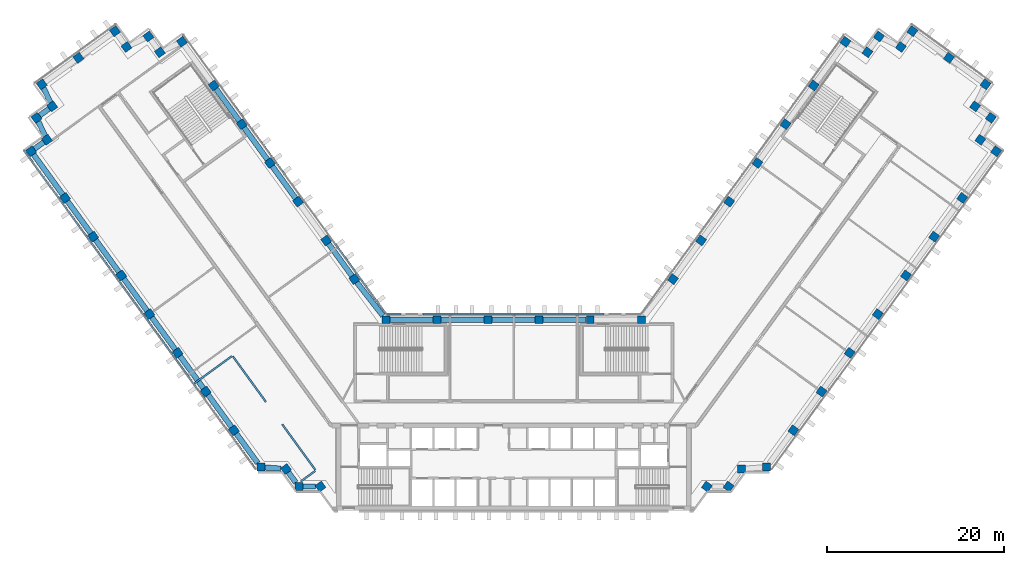
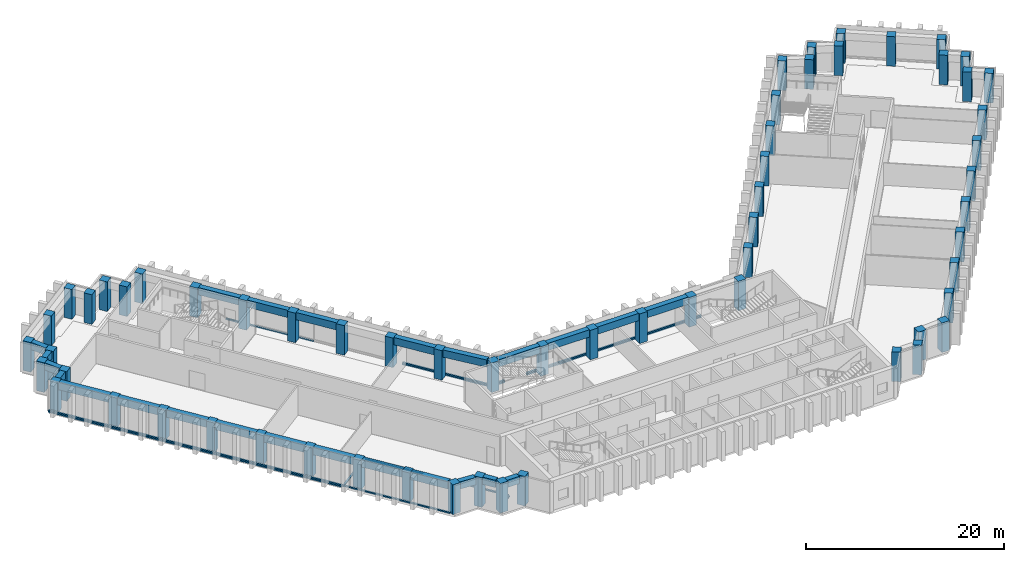
"""IFC4 building model written with IfcOpenShell, lengths in metres."""

from ifc_helpers import new_model, si_unit, direction, frame, origin, origin_2d, place, context, subcontext, project, spatial, rectangle, extrude, material, material_profile, profile_set, type_object, element, aggregate, save


model = new_model("IFC4")

# Units and contexts
model_context = context("Model", 3, precision=1e-05, world=origin(), true_north=direction((0.0, 1.0)))
body_context = subcontext(model_context, "Body", "Model", "MODEL_VIEW")
ifc_project = project(units=[si_unit("LENGTHUNIT", "METRE"), si_unit("AREAUNIT", "SQUARE_METRE"), si_unit("VOLUMEUNIT", "CUBIC_METRE"), si_unit("PLANEANGLEUNIT", "RADIAN"), si_unit("MASSUNIT", "GRAM", prefix="KILO")], contexts=[model_context])

# Site, building, storey
site_placement = place(None, origin())
site = spatial("IfcSite", under=ifc_project, at=site_placement, CompositionType="ELEMENT")
building_placement = place(site_placement, origin())
building = spatial("IfcBuilding", under=site, at=building_placement, Name="Quipu Civic Tower", CompositionType="ELEMENT")
storey_1_placement = place(building_placement, frame((0.0, 0.0, 67.0)))
storey_1 = spatial("IfcBuildingStorey", under=building, at=storey_1_placement, Name="L15", CompositionType="ELEMENT", Elevation=67.0)

# Columns
ifc_material_1 = material(Name="Concrete C70/85", Category="concrete")
ifc_material_profile_1 = material_profile(ifc_material_1, rectangle(XDim=0.89990234375, YDim=0.89990234375, at=origin_2d()), Name="RC900x900")
ifc_profile_set_1 = profile_set([ifc_material_profile_1], Name="Concrete C70/85")
column_type = type_object("IfcColumnType", Name="Perimeter column RC 900x900 C70/85", PredefinedType="COLUMN", material=ifc_profile_set_1)
for number, where, z_axis, x_axis, name in (
    (1, (-17.9736328125, 15.074951171875, 0.0), (0.0, 0.0, 1.0), (-0.587785252292, 0.809016994375, 0.0), "Column L15 W-IN-01"),
    (2, (-21.1474609375, 19.44384765625, 0.0), (0.0, 0.0, 1.0), (-0.587785252292, 0.809016994375, 0.0), "Column L15 W-IN-02"),
    (3, (-24.3212890625, 23.8125, 0.0), (0.0, 0.0, 1.0), (-0.587785252292, 0.809016994375, 0.0), "Column L15 W-IN-03"),
    (4, (-27.4951171875, 28.181396484375, 0.0), (0.0, 0.0, 1.0), (-0.587785252292, 0.809016994375, 0.0), "Column L15 W-IN-04"),
    (5, (-30.6689453125, 32.55029296875, 0.0), (0.0, 0.0, 1.0), (-0.587785252292, 0.809016994375, 0.0), "Column L15 W-IN-05"),
    (6, (-33.843017578125, 36.919189453125, 0.0), (0.0, 0.0, 1.0), (-0.587785252292, 0.809016994375, 0.0), "Column L15 W-IN-06"),
    (7, (-37.425048828125, 41.85009765625, 0.0), (0.0, 0.0, 1.0), (-0.587785252292, 0.809016994375, 0.0), "Column L15 T-Wi.0-W50"),
    (8, (-39.905517578125, 40.666015625, 0.0), (0.0, 0.0, 1.0), (-0.587785252292, 0.809016994375, 0.0), "Column L15 T-Wi.1-W50"),
    (9, (-41.199951171875, 42.445068359375, 0.0), (0.0, 0.0, 1.0), (-0.587785252292, 0.809016994375, 0.0), "Column L15 T-Wi.2-W50"),
    (10, (-43.674560546875, 41.264892578125, 0.0), (0.0, 0.0, 1.0), (-0.809016994375, -0.587785252292, 0.0), "Column L15 T-Wi.3-W50"),
    (11, (-44.969970703125, 43.044921875, 0.0), (0.0, 0.0, 1.0), (-0.809016994375, -0.587785252292, 0.0), "Column L15 T-Wi.4-W50"),
    (12, (-49.095703125, 40.046875, 0.0), (0.0, 0.0, 1.0), (-0.809016994375, -0.587785252292, 0.0), "Column L15 TIP-W-01-W50"),
    (13, (-53.219970703125, 37.050048828125, 0.0), (0.0, 0.0, 1.0), (0.587785252292, -0.809016994375, 0.0), "Column L15 T-Wo.0-W50"),
    (14, (-52.038818359375, 34.571044921875, 0.0), (0.0, 0.0, 1.0), (-0.809016994375, -0.587785252292, 0.0), "Column L15 T-Wo.1-W50"),
    (15, (-53.820068359375, 33.27490234375, 0.0), (0.0, 0.0, 1.0), (0.587785252292, -0.809016994375, 0.0), "Column L15 T-Wo.2-W50"),
    (16, (-52.635986328125, 30.799560546875, 0.0), (0.0, 0.0, 1.0), (-0.809016994375, -0.587785252292, 0.0), "Column L15 T-Wo.3-W50"),
    (17, (-54.4150390625, 29.5048828125, 0.0), (0.0, 0.0, 1.0), (0.587785252292, -0.809016994375, 0.0), "Column L15 T-Wo.4-W50"),
    (18, (-50.59228515625, 24.243408203125, 0.0), (0.0, 0.0, 1.0), (0.587785252292, -0.809016994375, 0.0), "Column L15 W-OUT-07"),
    (19, (-47.41845703125, 19.874755859375, 0.0), (0.0, 0.0, 1.0), (0.587785252292, -0.809016994375, 0.0), "Column L15 W-OUT-06"),
    (20, (-44.244384765625, 15.506103515625, 0.0), (0.0, 0.0, 1.0), (0.587785252292, -0.809016994375, 0.0), "Column L15 W-OUT-05"),
    (21, (-41.0703125, 11.137451171875, 0.0), (0.0, 0.0, 1.0), (0.587785252292, -0.809016994375, 0.0), "Column L15 W-OUT-04"),
    (22, (-37.896240234375, 6.768798828125, 0.0), (0.0, 0.0, 1.0), (0.587785252292, -0.809016994375, 0.0), "Column L15 W-OUT-03"),
    (23, (-34.722412109375, 2.39990234375, 0.0), (0.0, 0.0, 1.0), (0.587785252292, -0.809016994375, 0.0), "Column L15 W-OUT-02"),
    (24, (-31.54833984375, -1.96875, 0.0), (0.0, 0.0, 1.0), (0.587785252292, -0.809016994375, 0.0), "Column L15 W-OUT-01"),
    (25, (-28.52490234375, -6.1298828125, 0.0), (0.0, 0.0, 1.0), (1.0, 0.0, 0.0), "Column L15 J-Wo.0"),
    (26, (-25.67431640625, -6.3369140625, 0.0), (0.0, 0.0, 1.0), (0.587785252292, -0.809016994375, 0.0), "Column L15 J-Wo.1"),
    (27, (-24.235107421875, -8.31494140625, 0.0), (0.0, 0.0, 1.0), (1.0, 0.0, 0.0), "Column L15 J-Wo.2"),
    (28, (-21.791748046875, -8.31494140625, 0.0), (0.0, 0.0, 1.0), (0.587785252292, -0.809016994375, 0.0), "Column L15 J-Wo.3"),
    (29, (21.791748046875, -8.31494140625, 0.0), (0.0, 0.0, 1.0), (0.587785252292, 0.809016994375, 0.0), "Column L15 J-Eo.1"),
    (30, (24.235107421875, -8.31494140625, 0.0), (0.0, 0.0, 1.0), (0.587785252292, 0.809016994375, 0.0), "Column L15 J-Eo.2"),
    (31, (25.67431640625, -6.3369140625, 0.0), (0.0, 0.0, 1.0), (1.0, 0.0, 0.0), "Column L15 J-Eo.3"),
    (32, (28.52490234375, -6.1298828125, 0.0), (0.0, 0.0, 1.0), (1.0, 0.0, 0.0), "Column L15 J-Eo.4"),
    (33, (31.54833984375, -1.96875, 0.0), (0.0, 0.0, 1.0), (0.587785252292, 0.809016994375, 0.0), "Column L15 E-OUT-01"),
    (34, (34.722412109375, 2.39990234375, 0.0), (0.0, 0.0, 1.0), (0.587785252292, 0.809016994375, 0.0), "Column L15 E-OUT-02"),
    (35, (37.896240234375, 6.768798828125, 0.0), (0.0, 0.0, 1.0), (0.587785252292, 0.809016994375, 0.0), "Column L15 E-OUT-03"),
    (36, (41.0703125, 11.137451171875, 0.0), (0.0, 0.0, 1.0), (0.587785252292, 0.809016994375, 0.0), "Column L15 E-OUT-04"),
    (37, (44.244384765625, 15.506103515625, 0.0), (0.0, 0.0, 1.0), (0.587785252292, 0.809016994375, 0.0), "Column L15 E-OUT-05"),
    (38, (47.41845703125, 19.874755859375, 0.0), (0.0, 0.0, 1.0), (0.587785252292, 0.809016994375, 0.0), "Column L15 E-OUT-06"),
    (39, (50.59228515625, 24.243408203125, 0.0), (0.0, 0.0, 1.0), (0.587785252292, 0.809016994375, 0.0), "Column L15 E-OUT-07"),
    (40, (54.4150390625, 29.5048828125, 0.0), (0.0, 0.0, 1.0), (0.587785252292, 0.809016994375, 0.0), "Column L15 T-Eo.0-E50"),
    (41, (52.635986328125, 30.799560546875, 0.0), (0.0, 0.0, 1.0), (-0.809016994375, 0.587785252292, 0.0), "Column L15 T-Eo.1-E50"),
    (42, (53.820068359375, 33.27490234375, 0.0), (0.0, 0.0, 1.0), (-0.809016994375, 0.587785252292, 0.0), "Column L15 T-Eo.2-E50"),
    (43, (52.038818359375, 34.571044921875, 0.0), (0.0, 0.0, 1.0), (0.587785252292, 0.809016994375, 0.0), "Column L15 T-Eo.3-E50"),
    (44, (53.219970703125, 37.050048828125, 0.0), (0.0, 0.0, 1.0), (-0.809016994375, 0.587785252292, 0.0), "Column L15 T-Eo.4-E50"),
    (45, (49.095703125, 40.046875, 0.0), (0.0, 0.0, 1.0), (-0.809016994375, 0.587785252292, 0.0), "Column L15 TIP-E-01-E50"),
    (46, (44.969970703125, 43.044921875, 0.0), (0.0, 0.0, 1.0), (-0.809016994375, 0.587785252292, 0.0), "Column L15 T-Ei.0-E50"),
    (47, (43.674560546875, 41.264892578125, 0.0), (0.0, 0.0, 1.0), (-0.809016994375, 0.587785252292, 0.0), "Column L15 T-Ei.1-E50"),
    (48, (41.199951171875, 42.445068359375, 0.0), (0.0, 0.0, 1.0), (-0.587785252292, -0.809016994375, 0.0), "Column L15 T-Ei.2-E50"),
    (49, (39.905517578125, 40.666015625, 0.0), (0.0, 0.0, 1.0), (-0.587785252292, -0.809016994375, 0.0), "Column L15 T-Ei.3-E50"),
    (50, (37.425048828125, 41.85009765625, 0.0), (0.0, 0.0, 1.0), (-0.587785252292, -0.809016994375, 0.0), "Column L15 T-Ei.4-E50"),
    (51, (33.843017578125, 36.919189453125, 0.0), (0.0, 0.0, 1.0), (-0.587785252292, -0.809016994375, 0.0), "Column L15 E-IN-06"),
    (52, (30.6689453125, 32.55029296875, 0.0), (0.0, 0.0, 1.0), (-0.587785252292, -0.809016994375, 0.0), "Column L15 E-IN-05"),
    (53, (27.4951171875, 28.181396484375, 0.0), (0.0, 0.0, 1.0), (-0.587785252292, -0.809016994375, 0.0), "Column L15 E-IN-04"),
    (54, (24.3212890625, 23.8125, 0.0), (0.0, 0.0, 1.0), (-0.587785252292, -0.809016994375, 0.0), "Column L15 E-IN-03"),
    (55, (21.1474609375, 19.44384765625, 0.0), (0.0, 0.0, 1.0), (-0.587785252292, -0.809016994375, 0.0), "Column L15 E-IN-02"),
    (56, (17.9736328125, 15.074951171875, 0.0), (0.0, 0.0, 1.0), (-0.587785252292, -0.809016994375, 0.0), "Column L15 E-IN-01"),
    (57, (14.395263671875, 10.5, 0.0), (0.0, 0.0, 1.0), (-1.0, 0.0, 0.0), "Column L15 J-Ei.0"),
    (58, (8.63720703125, 10.5, 0.0), (0.0, 0.0, 1.0), (-1.0, 0.0, 0.0), "Column L15 FRONT-01"),
    (59, (2.87890625, 10.5, 0.0), (0.0, 0.0, 1.0), (-1.0, 0.0, 0.0), "Column L15 FRONT-02"),
    (60, (-2.87890625, 10.5, 0.0), (0.0, 0.0, 1.0), (-1.0, 0.0, 0.0), "Column L15 FRONT-03"),
    (61, (-8.63720703125, 10.5, 0.0), (0.0, 0.0, 1.0), (-1.0, 0.0, 0.0), "Column L15 FRONT-04"),
    (62, (-14.395263671875, 10.5, 0.0), (0.0, 0.0, 1.0), (-1.0, 0.0, 0.0), "Column L15 J-Wi.0"),
):
    element("IfcColumn", number, at=place(storey_1_placement, frame(where, z_axis=z_axis, x_axis=x_axis)), inside=storey_1, type_object=column_type, Name=name, PredefinedType="COLUMN", context=body_context, shape_type="SweptSolid", body=[
        extrude(rectangle(XDim=0.89990234375, YDim=0.89990234375, at=origin_2d()), origin(), (0.0, 0.0, 1.0), 3.64990234375),
    ])

# Beams
ifc_material_2 = material(Name="Concrete C50/60", Category="concrete")
ifc_material_profile_2 = material_profile(ifc_material_2, rectangle(XDim=0.60009765625, YDim=0.89990234375, at=origin_2d()), Name="RC600x900")
ifc_profile_set_2 = profile_set([ifc_material_profile_2], Name="Concrete C50/60")
beam_type = type_object("IfcBeamType", Name="Spandrel beam RC 600x900 C50/60", PredefinedType="SPANDREL", material=ifc_profile_set_2)
for number, where, z_axis, x_axis, name in (
    (63, (-18.238037109375, 15.43896484375, 3.199951171875), (-0.587716763865, 0.809066749701, 0.0), (-0.809066749701, -0.587716763865, 0.0), "Spandrel beam L15 W-IN-01 to W-IN-02"),
    (64, (-24.585693359375, 24.1767578125, 3.199951171875), (-0.587778073121, 0.809022210299, 0.0), (-0.809022210299, -0.587778073121, 0.0), "Spandrel beam L15 W-IN-03 to W-IN-04"),
    (65, (-27.759765625, 28.545654296875, 3.199951171875), (-0.587742561851, 0.809048009076, 0.0), (-0.809048009076, -0.587742561851, 0.0), "Spandrel beam L15 W-IN-04 to W-IN-05"),
    (66, (-30.93359375, 32.914306640625, 3.199951171875), (-0.587716763865, 0.809066749701, 0.0), (-0.809066749701, -0.587716763865, 0.0), "Spandrel beam L15 W-IN-05 to W-IN-06"),
):
    element("IfcBeam", number, at=place(storey_1_placement, frame(where, z_axis=z_axis, x_axis=x_axis)), inside=storey_1, type_object=beam_type, Name=name, PredefinedType="SPANDREL", context=body_context, shape_type="SweptSolid", body=[
        extrude(rectangle(XDim=0.60009765625, YDim=0.89990234375, at=origin_2d()), origin(), (0.0, 0.0, 1.0), 4.5),
    ])
beam_1_placement = place(storey_1_placement, frame((-53.023193359375, 36.63671875, 3.199951171875), z_axis=(0.430166558323, -0.902749540072, 0.0), x_axis=(0.902749540072, 0.430166558323, 0.0)))
element("IfcBeam", 67, at=beam_1_placement, inside=storey_1, type_object=beam_type, Name="Spandrel beam L15 T-Wo.0-W50 to T-Wo.1-W50", PredefinedType="SPANDREL", context=body_context, shape_type="SweptSolid", body=[
    extrude(rectangle(XDim=0.60009765625, YDim=0.89990234375, at=origin_2d()), origin(), (0.0, 0.0, 1.0), 1.830322265625),
])
beam_2_placement = place(storey_1_placement, frame((-52.40283203125, 34.306396484375, 3.199951171875), z_axis=(-0.808509099783, -0.588483674853, 0.0), x_axis=(0.588483674853, -0.808509099783, 0.0)))
element("IfcBeam", 68, at=beam_2_placement, inside=storey_1, type_object=beam_type, Name="Spandrel beam L15 T-Wo.1-W50 to T-Wo.2-W50", PredefinedType="SPANDREL", context=body_context, shape_type="SweptSolid", body=[
    extrude(rectangle(XDim=0.60009765625, YDim=0.89990234375, at=origin_2d()), origin(), (0.0, 0.0, 1.0), 1.302734375),
])
beam_3_placement = place(storey_1_placement, frame((-53.62255859375, 32.8623046875, 3.199951171875), z_axis=(0.431446050156, -0.902138739776, 0.0), x_axis=(0.902138739776, 0.431446050156, 0.0)))
element("IfcBeam", 69, at=beam_3_placement, inside=storey_1, type_object=beam_type, Name="Spandrel beam L15 T-Wo.2-W50 to T-Wo.3-W50", PredefinedType="SPANDREL", context=body_context, shape_type="SweptSolid", body=[
    extrude(rectangle(XDim=0.60009765625, YDim=0.89990234375, at=origin_2d()), origin(), (0.0, 0.0, 1.0), 1.828857421875),
])
beam_4_placement = place(storey_1_placement, frame((-53.0, 30.53466796875, 3.199951171875), z_axis=(-0.808549242423, -0.588428519514, 0.0), x_axis=(0.588428519514, -0.808549242423, 0.0)))
element("IfcBeam", 70, at=beam_4_placement, inside=storey_1, type_object=beam_type, Name="Spandrel beam L15 T-Wo.3-W50 to T-Wo.4-W50", PredefinedType="SPANDREL", context=body_context, shape_type="SweptSolid", body=[
    extrude(rectangle(XDim=0.60009765625, YDim=0.89990234375, at=origin_2d()), origin(), (0.0, 0.0, 1.0), 1.2998046875),
])
beam_5_placement = place(storey_1_placement, frame((-54.150390625, 29.140869140625, 3.199951171875), z_axis=(0.587772657145, -0.809026145135, 0.0), x_axis=(0.809026145135, 0.587772657145, 0.0)))
element("IfcBeam", 71, at=beam_5_placement, inside=storey_1, type_object=beam_type, Name="Spandrel beam L15 T-Wo.4-W50 to W-OUT-07", PredefinedType="SPANDREL", context=body_context, shape_type="SweptSolid", body=[
    extrude(rectangle(XDim=0.60009765625, YDim=0.89990234375, at=origin_2d()), origin(), (0.0, 0.0, 1.0), 5.603271484375),
])
beam_6_placement = place(storey_1_placement, frame((-50.327880859375, 23.87939453125, 3.199951171875), z_axis=(0.587778073121, -0.809022210299, 0.0), x_axis=(0.809022210299, 0.587778073121, 0.0)))
element("IfcBeam", 72, at=beam_6_placement, inside=storey_1, type_object=beam_type, Name="Spandrel beam L15 W-OUT-07 to W-OUT-06", PredefinedType="SPANDREL", context=body_context, shape_type="SweptSolid", body=[
    extrude(rectangle(XDim=0.60009765625, YDim=0.89990234375, at=origin_2d()), origin(), (0.0, 0.0, 1.0), 4.5),
])
beam_7_placement = place(storey_1_placement, frame((-47.15380859375, 19.5107421875, 3.199951171875), z_axis=(0.587803872688, -0.809003465539, 0.0), x_axis=(0.809003465539, 0.587803872688, 0.0)))
element("IfcBeam", 73, at=beam_7_placement, inside=storey_1, type_object=beam_type, Name="Spandrel beam L15 W-OUT-06 to W-OUT-05", PredefinedType="SPANDREL", context=body_context, shape_type="SweptSolid", body=[
    extrude(rectangle(XDim=0.60009765625, YDim=0.89990234375, at=origin_2d()), origin(), (0.0, 0.0, 1.0), 4.499755859375),
])
for number, where, z_axis, x_axis, name in (
    (74, (-43.97998046875, 15.14208984375, 3.199951171875), (0.587778073121, -0.809022210299, 0.0), (0.809022210299, 0.587778073121, 0.0), "Spandrel beam L15 W-OUT-05 to W-OUT-04"),
    (75, (-40.805908203125, 10.7734375, 3.199951171875), (0.587778073121, -0.809022210299, 0.0), (0.809022210299, 0.587778073121, 0.0), "Spandrel beam L15 W-OUT-04 to W-OUT-03"),
):
    element("IfcBeam", number, at=place(storey_1_placement, frame(where, z_axis=z_axis, x_axis=x_axis)), inside=storey_1, type_object=beam_type, Name=name, PredefinedType="SPANDREL", context=body_context, shape_type="SweptSolid", body=[
        extrude(rectangle(XDim=0.60009765625, YDim=0.89990234375, at=origin_2d()), origin(), (0.0, 0.0, 1.0), 4.5),
    ])
beam_8_placement = place(storey_1_placement, frame((-37.6318359375, 6.404541015625, 3.199951171875), z_axis=(0.587803872688, -0.809003465539, 0.0), x_axis=(0.809003465539, 0.587803872688, 0.0)))
element("IfcBeam", 76, at=beam_8_placement, inside=storey_1, type_object=beam_type, Name="Spandrel beam L15 W-OUT-03 to W-OUT-02", PredefinedType="SPANDREL", context=body_context, shape_type="SweptSolid", body=[
    extrude(rectangle(XDim=0.60009765625, YDim=0.89990234375, at=origin_2d()), origin(), (0.0, 0.0, 1.0), 4.499755859375),
])
beam_9_placement = place(storey_1_placement, frame((-34.457763671875, 2.035888671875, 3.199951171875), z_axis=(0.587778073121, -0.809022210299, 0.0), x_axis=(0.809022210299, 0.587778073121, 0.0)))
element("IfcBeam", 77, at=beam_9_placement, inside=storey_1, type_object=beam_type, Name="Spandrel beam L15 W-OUT-02 to W-OUT-01", PredefinedType="SPANDREL", context=body_context, shape_type="SweptSolid", body=[
    extrude(rectangle(XDim=0.60009765625, YDim=0.89990234375, at=origin_2d()), origin(), (0.0, 0.0, 1.0), 4.5),
])
beam_10_placement = place(storey_1_placement, frame((-31.28369140625, -2.332763671875, 3.199951171875), z_axis=(0.587750565781, -0.809042194464, 0.0), x_axis=(0.809042194464, 0.587750565781, 0.0)))
element("IfcBeam", 78, at=beam_10_placement, inside=storey_1, type_object=beam_type, Name="Spandrel beam L15 W-OUT-01 to J-Wo.0", PredefinedType="SPANDREL", context=body_context, shape_type="SweptSolid", body=[
    extrude(rectangle(XDim=0.60009765625, YDim=0.89990234375, at=origin_2d()), origin(), (0.0, 0.0, 1.0), 4.13720703125),
])
beam_11_placement = place(storey_1_placement, frame((-28.074951171875, -6.16259765625, 3.199951171875), z_axis=(0.997367229877, -0.072516265536, 0.0), x_axis=(0.072516265536, 0.997367229877, 0.0)))
element("IfcBeam", 79, at=beam_11_placement, inside=storey_1, type_object=beam_type, Name="Spandrel beam L15 J-Wo.0 to J-Wo.1", PredefinedType="SPANDREL", context=body_context, shape_type="SweptSolid", body=[
    extrude(rectangle(XDim=0.60009765625, YDim=0.89990234375, at=origin_2d()), origin(), (0.0, 0.0, 1.0), 1.818115234375),
])
beam_12_placement = place(storey_1_placement, frame((-25.40966796875, -6.700927734375, 3.199951171875), z_axis=(0.588433824377, -0.808545381738, 0.0), x_axis=(0.808545381738, 0.588433824377, 0.0)))
element("IfcBeam", 80, at=beam_12_placement, inside=storey_1, type_object=beam_type, Name="Spandrel beam L15 J-Wo.1 to J-Wo.2", PredefinedType="SPANDREL", context=body_context, shape_type="SweptSolid", body=[
    extrude(rectangle(XDim=0.60009765625, YDim=0.89990234375, at=origin_2d()), origin(), (0.0, 0.0, 1.0), 1.439697265625),
])
beam_13_placement = place(storey_1_placement, frame((-23.784912109375, -8.31494140625, 3.199951171875), z_axis=(1.0, 0.0, 0.0), x_axis=(0.0, 1.0, 0.0)))
element("IfcBeam", 81, at=beam_13_placement, inside=storey_1, type_object=beam_type, Name="Spandrel beam L15 J-Wo.2 to J-Wo.3", PredefinedType="SPANDREL", context=body_context, shape_type="SweptSolid", body=[
    extrude(rectangle(XDim=0.60009765625, YDim=0.89990234375, at=origin_2d()), origin(), (0.0, 0.0, 1.0), 1.436767578125),
])
for number, where, z_axis, x_axis, name in (
    (82, (8.18701171875, 10.5, 3.199951171875), (-1.0, 0.0, 0.0), (0.0, -1.0, 0.0), "Spandrel beam L15 FRONT-01 to FRONT-02"),
    (83, (2.428955078125, 10.5, 3.199951171875), (-1.0, 0.0, 0.0), (0.0, -1.0, 0.0), "Spandrel beam L15 FRONT-02 to FRONT-03"),
    (84, (-3.3291015625, 10.5, 3.199951171875), (-1.0, 0.0, 0.0), (0.0, -1.0, 0.0), "Spandrel beam L15 FRONT-03 to FRONT-04"),
):
    element("IfcBeam", number, at=place(storey_1_placement, frame(where, z_axis=z_axis, x_axis=x_axis)), inside=storey_1, type_object=beam_type, Name=name, PredefinedType="SPANDREL", context=body_context, shape_type="SweptSolid", body=[
        extrude(rectangle(XDim=0.60009765625, YDim=0.89990234375, at=origin_2d()), origin(), (0.0, 0.0, 1.0), 4.85791015625),
    ])
beam_14_placement = place(storey_1_placement, frame((-9.087158203125, 10.5, 3.199951171875), z_axis=(-1.0, 0.0, 0.0), x_axis=(0.0, -1.0, 0.0)))
element("IfcBeam", 85, at=beam_14_placement, inside=storey_1, type_object=beam_type, Name="Spandrel beam L15 FRONT-04 to J-Wi.0", PredefinedType="SPANDREL", context=body_context, shape_type="SweptSolid", body=[
    extrude(rectangle(XDim=0.60009765625, YDim=0.89990234375, at=origin_2d()), origin(), (0.0, 0.0, 1.0), 4.858154296875),
])
beam_15_placement = place(storey_1_placement, frame((-14.7470703125, 10.949951171875, 3.199951171875), z_axis=(-0.616123961998, 0.787649200756, 0.0), x_axis=(-0.787649200756, -0.616123961998, 0.0)))
element("IfcBeam", 86, at=beam_15_placement, inside=storey_1, type_object=beam_type, Name="Spandrel beam L15 J-Wi.0 to W-IN-01", PredefinedType="SPANDREL", context=body_context, shape_type="SweptSolid", body=[
    extrude(rectangle(XDim=0.60009765625, YDim=0.89990234375, at=origin_2d()), origin(), (0.0, 0.0, 1.0), 4.78662109375),
])

# Storey
storey_2_placement = place(building_placement, frame((0.0, 0.0, 59.0)))
storey_2 = spatial("IfcBuildingStorey", under=building, at=storey_2_placement, Name="L13", CompositionType="ELEMENT", Elevation=59.0)

# Curtain wall, members
ifc_material_3 = material(Name="Insulated glass unit", Category="glass")
curtain_wall_type = type_object("IfcCurtainWallType", Name="Office curtain wall CW1", PredefinedType="NOTDEFINED", material=ifc_material_3)
curtain_wall_1_placement = place(storey_2_placement, origin())
curtain_wall_1 = element("IfcCurtainWall", 87, at=curtain_wall_1_placement, inside=storey_2, type_object=curtain_wall_type, Name="Office curtain wall CW1 L12 run 10", PredefinedType="NOTDEFINED")
ifc_material_4 = material(Name="Anodised aluminium", Category="aluminium")
ifc_material_profile_3 = material_profile(ifc_material_4, rectangle(XDim=0.199951171875, YDim=0.159912109375, at=origin_2d()), Name="RECT 200x160")
ifc_profile_set_3 = profile_set([ifc_material_profile_3], Name="Anodised aluminium")
member_type = type_object("IfcMemberType", Name="Transom CW1", PredefinedType="USERDEFINED", material=ifc_profile_set_3)
member_1_placement = place(storey_1_placement, frame((-14.39111328125, 11.164794921875, 0.0), z_axis=(-0.58779220199, 0.809011945079, 0.0), x_axis=(-0.809011945079, -0.58779220199, 0.0)))
member_1 = element("IfcMember", 88, at=member_1_placement, inside=storey_1, type_object=member_type, Name="CW1 transom 1.4", ObjectType="TRANSOM", PredefinedType="USERDEFINED", context=body_context, shape_type="SweptSolid", body=[
    extrude(rectangle(XDim=0.199951171875, YDim=0.159912109375, at=origin_2d()), origin(), (0.0, 0.0, 1.0), 9.64111328125),
])
member_2_placement = place(storey_1_placement, frame((-25.842529296875, 26.926025390625, 0.0), z_axis=(-0.58778177227, 0.809019522748, 0.0), x_axis=(-0.809019522748, -0.58778177227, 0.0)))
member_2 = element("IfcMember", 89, at=member_2_placement, inside=storey_1, type_object=member_type, Name="CW1 transom 3.4", ObjectType="TRANSOM", PredefinedType="USERDEFINED", context=body_context, shape_type="SweptSolid", body=[
    extrude(rectangle(XDim=0.199951171875, YDim=0.159912109375, at=origin_2d()), origin(), (0.0, 0.0, 1.0), 9.68115234375),
])
aggregate(curtain_wall_1, [member_1, member_2])

curtain_wall_2_placement = place(storey_2_placement, origin())
curtain_wall_2 = element("IfcCurtainWall", 90, at=curtain_wall_2_placement, inside=storey_2, type_object=curtain_wall_type, Name="Office curtain wall CW1 L12 run 39", PredefinedType="NOTDEFINED")
member_3_placement = place(storey_1_placement, frame((10.18359375, 11.10009765625, 0.0), z_axis=(-1.0, 0.0, 0.0), x_axis=(0.0, -1.0, 0.0)))
member_3 = element("IfcMember", 91, at=member_3_placement, inside=storey_1, type_object=member_type, Name="CW1 transom 1.4", ObjectType="TRANSOM", PredefinedType="USERDEFINED", context=body_context, shape_type="SweptSolid", body=[
    extrude(rectangle(XDim=0.199951171875, YDim=0.159912109375, at=origin_2d()), origin(), (0.0, 0.0, 1.0), 10.1435546875),
])
member_4_placement = place(storey_1_placement, frame((-0.0400390625, 11.10009765625, 0.0), z_axis=(-1.0, 0.0, 0.0), x_axis=(0.0, -1.0, 0.0)))
member_4 = element("IfcMember", 92, at=member_4_placement, inside=storey_1, type_object=member_type, Name="CW1 transom 2.4", ObjectType="TRANSOM", PredefinedType="USERDEFINED", context=body_context, shape_type="SweptSolid", body=[
    extrude(rectangle(XDim=0.199951171875, YDim=0.159912109375, at=origin_2d()), origin(), (0.0, 0.0, 1.0), 10.1435546875),
])
aggregate(curtain_wall_2, [member_3, member_4])

# Curtain wall, member
curtain_wall_3_placement = place(storey_2_placement, origin())
curtain_wall_3 = element("IfcCurtainWall", 93, at=curtain_wall_3_placement, inside=storey_2, type_object=curtain_wall_type, Name="Office curtain wall CW1 L12 run 41", PredefinedType="NOTDEFINED")
member_5_placement = place(storey_1_placement, frame((-12.735107421875, 11.10009765625, 0.0), z_axis=(-1.0, 0.0, 0.0), x_axis=(0.0, -1.0, 0.0)))
member_5 = element("IfcMember", 94, at=member_5_placement, inside=storey_1, type_object=member_type, Name="CW1 transom 1.4", ObjectType="TRANSOM", PredefinedType="USERDEFINED", context=body_context, shape_type="SweptSolid", body=[
    extrude(rectangle(XDim=0.199951171875, YDim=0.159912109375, at=origin_2d()), origin(), (0.0, 0.0, 1.0), 1.529052734375),
])
aggregate(curtain_wall_3, [member_5])

# Storey
storey_3_placement = place(building_placement, frame((0.0, 0.0, 63.0)))
storey_3 = spatial("IfcBuildingStorey", under=building, at=storey_3_placement, Name="L14", CompositionType="ELEMENT", Elevation=63.0)

# Curtain wall, members
curtain_wall_4_placement = place(storey_3_placement, origin())
curtain_wall_4 = element("IfcCurtainWall", 95, at=curtain_wall_4_placement, inside=storey_3, type_object=curtain_wall_type, Name="Office curtain wall CW1 L14 run 1", PredefinedType="NOTDEFINED")
member_6_placement = place(storey_1_placement, frame((-55.20703125, 29.573974609375, 0.0), z_axis=(0.587775847534, -0.809023827248, 0.0), x_axis=(0.809023827248, 0.587775847534, 0.0)))
member_6 = element("IfcMember", 96, at=member_6_placement, inside=storey_1, type_object=member_type, Name="CW1 transom 1.2", ObjectType="TRANSOM", PredefinedType="USERDEFINED", context=body_context, shape_type="SweptSolid", body=[
    extrude(rectangle(XDim=0.199951171875, YDim=0.159912109375, at=origin_2d()), origin(), (0.0, 0.0, 1.0), 10.74658203125),
])
member_7_placement = place(storey_1_placement, frame((-48.84326171875, 20.81494140625, 0.0), z_axis=(0.587777310157, -0.809022764614, 0.0), x_axis=(0.809022764614, 0.587777310157, 0.0)))
member_7 = element("IfcMember", 97, at=member_7_placement, inside=storey_1, type_object=member_type, Name="CW1 transom 2.2", ObjectType="TRANSOM", PredefinedType="USERDEFINED", context=body_context, shape_type="SweptSolid", body=[
    extrude(rectangle(XDim=0.199951171875, YDim=0.159912109375, at=origin_2d()), origin(), (0.0, 0.0, 1.0), 10.78662109375),
])
member_8_placement = place(storey_1_placement, frame((-42.4560546875, 12.023681640625, 0.0), z_axis=(0.587775847534, -0.809023827248, 0.0), x_axis=(0.809023827248, 0.587775847534, 0.0)))
member_8 = element("IfcMember", 98, at=member_8_placement, inside=storey_1, type_object=member_type, Name="CW1 transom 3.2", ObjectType="TRANSOM", PredefinedType="USERDEFINED", context=body_context, shape_type="SweptSolid", body=[
    extrude(rectangle(XDim=0.199951171875, YDim=0.159912109375, at=origin_2d()), origin(), (0.0, 0.0, 1.0), 10.74658203125),
])
aggregate(curtain_wall_4, [member_6, member_7, member_8])

# Curtain wall, member
curtain_wall_5_placement = place(storey_3_placement, origin())
curtain_wall_5 = element("IfcCurtainWall", 99, at=curtain_wall_5_placement, inside=storey_3, type_object=curtain_wall_type, Name="Office curtain wall CW1 L14 run 2", PredefinedType="NOTDEFINED")
member_9_placement = place(storey_1_placement, frame((-36.027587890625, 3.311767578125, 0.0), z_axis=(0.809032158953, 0.587764379475, 0.0), x_axis=(-0.587764379475, 0.809032158953, 0.0)))
member_9 = element("IfcMember", 100, at=member_9_placement, inside=storey_1, type_object=member_type, Name="CW1 transom 1.2", ObjectType="TRANSOM", PredefinedType="USERDEFINED", context=body_context, shape_type="SweptSolid", body=[
    extrude(rectangle(XDim=0.199951171875, YDim=0.159912109375, at=origin_2d()), origin(), (0.0, 0.0, 1.0), 5.239990234375),
])
aggregate(curtain_wall_5, [member_9])

curtain_wall_6_placement = place(storey_3_placement, origin())
curtain_wall_6 = element("IfcCurtainWall", 101, at=curtain_wall_6_placement, inside=storey_3, type_object=curtain_wall_type, Name="Office curtain wall CW1 L14 run 3", PredefinedType="NOTDEFINED")
member_10_placement = place(storey_1_placement, frame((-31.676513671875, 6.3740234375, 0.0), z_axis=(0.587792686492, -0.809011593061, 0.0), x_axis=(0.809011593061, 0.587792686492, 0.0)))
member_10 = element("IfcMember", 102, at=member_10_placement, inside=storey_1, type_object=member_type, Name="CW1 transom 1.2", ObjectType="TRANSOM", PredefinedType="USERDEFINED", context=body_context, shape_type="SweptSolid", body=[
    extrude(rectangle(XDim=0.199951171875, YDim=0.159912109375, at=origin_2d()), origin(), (0.0, 0.0, 1.0), 6.359130859375),
])
aggregate(curtain_wall_6, [member_10])

curtain_wall_7_placement = place(storey_3_placement, origin())
curtain_wall_7 = element("IfcCurtainWall", 103, at=curtain_wall_7_placement, inside=storey_3, type_object=curtain_wall_type, Name="Office curtain wall CW1 L14 run 5", PredefinedType="NOTDEFINED")
member_11_placement = place(storey_1_placement, frame((-26.103271484375, -1.297119140625, 0.0), z_axis=(0.587772069698, -0.809026571926, 0.0), x_axis=(0.809026571926, 0.587772069698, 0.0)))
member_11 = element("IfcMember", 104, at=member_11_placement, inside=storey_1, type_object=member_type, Name="CW1 transom 1.2", ObjectType="TRANSOM", PredefinedType="USERDEFINED", context=body_context, shape_type="SweptSolid", body=[
    extrude(rectangle(XDim=0.199951171875, YDim=0.159912109375, at=origin_2d()), origin(), (0.0, 0.0, 1.0), 6.35791015625),
])
aggregate(curtain_wall_7, [member_11])

curtain_wall_8_placement = place(storey_3_placement, origin())
curtain_wall_8 = element("IfcCurtainWall", 105, at=curtain_wall_8_placement, inside=storey_3, type_object=curtain_wall_type, Name="Office curtain wall CW1 L14 run 6", PredefinedType="NOTDEFINED")
member_12_placement = place(storey_1_placement, frame((-22.3837890625, -6.552734375, 0.0), z_axis=(-0.809066019593, -0.58771776895, 0.0), x_axis=(0.58771776895, -0.809066019593, 0.0)))
member_12 = element("IfcMember", 106, at=member_12_placement, inside=storey_1, type_object=member_type, Name="CW1 transom 1.2", ObjectType="TRANSOM", PredefinedType="USERDEFINED", context=body_context, shape_type="SweptSolid", body=[
    extrude(rectangle(XDim=0.199951171875, YDim=0.159912109375, at=origin_2d()), origin(), (0.0, 0.0, 1.0), 2.01513671875),
])
aggregate(curtain_wall_8, [member_12])

# Storey
storey_4_placement = place(building_placement, frame((0.0, 0.0, 71.0)))
storey_4 = spatial("IfcBuildingStorey", under=building, at=storey_4_placement, Name="L16", CompositionType="ELEMENT", Elevation=71.0)

# Curtain wall, member
curtain_wall_9_placement = place(storey_4_placement, origin())
curtain_wall_9 = element("IfcCurtainWall", 107, at=curtain_wall_9_placement, inside=storey_4, type_object=curtain_wall_type, Name="Office curtain wall CW1 L15 run 1", PredefinedType="NOTDEFINED")
member_13_placement = place(storey_1_placement, frame((-14.39111328125, 11.164794921875, 0.159912109375), z_axis=(-0.58779220199, 0.809011945079, 0.0), x_axis=(-0.809011945079, -0.58779220199, 0.0)))
member_13 = element("IfcMember", 108, at=member_13_placement, inside=storey_1, type_object=member_type, Name="CW1 transom 1.1", ObjectType="TRANSOM", PredefinedType="USERDEFINED", context=body_context, shape_type="SweptSolid", body=[
    extrude(rectangle(XDim=0.199951171875, YDim=0.159912109375, at=origin_2d()), origin(), (0.0, 0.0, 1.0), 9.64111328125),
])
aggregate(curtain_wall_9, [member_13])

# Curtain wall, members
curtain_wall_10_placement = place(storey_4_placement, origin())
curtain_wall_10 = element("IfcCurtainWall", 109, at=curtain_wall_10_placement, inside=storey_4, type_object=curtain_wall_type, Name="Office curtain wall CW1 L15 run 8", PredefinedType="NOTDEFINED")
member_14_placement = place(storey_1_placement, frame((-55.20703125, 29.573974609375, 0.159912109375), z_axis=(0.587779179422, -0.809021406539, 0.0), x_axis=(0.809021406539, 0.587779179422, 0.0)))
member_14 = element("IfcMember", 110, at=member_14_placement, inside=storey_1, type_object=member_type, Name="CW1 transom 1.1", ObjectType="TRANSOM", PredefinedType="USERDEFINED", context=body_context, shape_type="SweptSolid", body=[
    extrude(rectangle(XDim=0.199951171875, YDim=0.159912109375, at=origin_2d()), origin(), (0.0, 0.0, 1.0), 11.02294921875),
])
member_15_placement = place(storey_1_placement, frame((-48.68115234375, 20.591552734375, 0.159912109375), z_axis=(0.587795037589, -0.80900988485, 0.0), x_axis=(0.80900988485, 0.587795037589, 0.0)))
member_15 = element("IfcMember", 111, at=member_15_placement, inside=storey_1, type_object=member_type, Name="CW1 transom 2.1", ObjectType="TRANSOM", PredefinedType="USERDEFINED", context=body_context, shape_type="SweptSolid", body=[
    extrude(rectangle(XDim=0.199951171875, YDim=0.159912109375, at=origin_2d()), origin(), (0.0, 0.0, 1.0), 11.062744140625),
])
member_16_placement = place(storey_1_placement, frame((-42.131591796875, 11.576904296875, 0.159912109375), z_axis=(0.587795037589, -0.80900988485, 0.0), x_axis=(0.80900988485, 0.587795037589, 0.0)))
member_16 = element("IfcMember", 112, at=member_16_placement, inside=storey_1, type_object=member_type, Name="CW1 transom 3.1", ObjectType="TRANSOM", PredefinedType="USERDEFINED", context=body_context, shape_type="SweptSolid", body=[
    extrude(rectangle(XDim=0.199951171875, YDim=0.159912109375, at=origin_2d()), origin(), (0.0, 0.0, 1.0), 11.062744140625),
])
member_17_placement = place(storey_1_placement, frame((-35.58203125, 2.562255859375, 0.159912109375), z_axis=(0.587779179422, -0.809021406539, 0.0), x_axis=(0.809021406539, 0.587779179422, 0.0)))
member_17 = element("IfcMember", 113, at=member_17_placement, inside=storey_1, type_object=member_type, Name="CW1 transom 4.1", ObjectType="TRANSOM", PredefinedType="USERDEFINED", context=body_context, shape_type="SweptSolid", body=[
    extrude(rectangle(XDim=0.199951171875, YDim=0.159912109375, at=origin_2d()), origin(), (0.0, 0.0, 1.0), 11.02294921875),
])
aggregate(curtain_wall_10, [member_14, member_15, member_16, member_17])

curtain_wall_11_placement = place(storey_4_placement, origin())
curtain_wall_11 = element("IfcCurtainWall", 114, at=curtain_wall_11_placement, inside=storey_4, type_object=curtain_wall_type, Name="Office curtain wall CW1 L15 run 33", PredefinedType="NOTDEFINED")
member_18_placement = place(storey_1_placement, frame((10.18359375, 11.10009765625, 0.159912109375), z_axis=(-1.0, 0.0, 0.0), x_axis=(0.0, -1.0, 0.0)))
member_18 = element("IfcMember", 115, at=member_18_placement, inside=storey_1, type_object=member_type, Name="CW1 transom 1.1", ObjectType="TRANSOM", PredefinedType="USERDEFINED", context=body_context, shape_type="SweptSolid", body=[
    extrude(rectangle(XDim=0.199951171875, YDim=0.159912109375, at=origin_2d()), origin(), (0.0, 0.0, 1.0), 10.1435546875),
])
member_19_placement = place(storey_1_placement, frame((-0.0400390625, 11.10009765625, 0.159912109375), z_axis=(-1.0, 0.0, 0.0), x_axis=(0.0, -1.0, 0.0)))
member_19 = element("IfcMember", 116, at=member_19_placement, inside=storey_1, type_object=member_type, Name="CW1 transom 2.1", ObjectType="TRANSOM", PredefinedType="USERDEFINED", context=body_context, shape_type="SweptSolid", body=[
    extrude(rectangle(XDim=0.199951171875, YDim=0.159912109375, at=origin_2d()), origin(), (0.0, 0.0, 1.0), 10.1435546875),
])
aggregate(curtain_wall_11, [member_18, member_19])

# Curtain wall, member
curtain_wall_12_placement = place(storey_4_placement, origin())
curtain_wall_12 = element("IfcCurtainWall", 117, at=curtain_wall_12_placement, inside=storey_4, type_object=curtain_wall_type, Name="Office curtain wall CW1 L15 run 35", PredefinedType="NOTDEFINED")
member_20_placement = place(storey_1_placement, frame((-12.735107421875, 11.10009765625, 0.159912109375), z_axis=(-1.0, 0.0, 0.0), x_axis=(0.0, -1.0, 0.0)))
member_20 = element("IfcMember", 118, at=member_20_placement, inside=storey_1, type_object=member_type, Name="CW1 transom 1.1", ObjectType="TRANSOM", PredefinedType="USERDEFINED", context=body_context, shape_type="SweptSolid", body=[
    extrude(rectangle(XDim=0.199951171875, YDim=0.159912109375, at=origin_2d()), origin(), (0.0, 0.0, 1.0), 1.529052734375),
])
aggregate(curtain_wall_12, [member_20])

save(model, "model.ifc")
